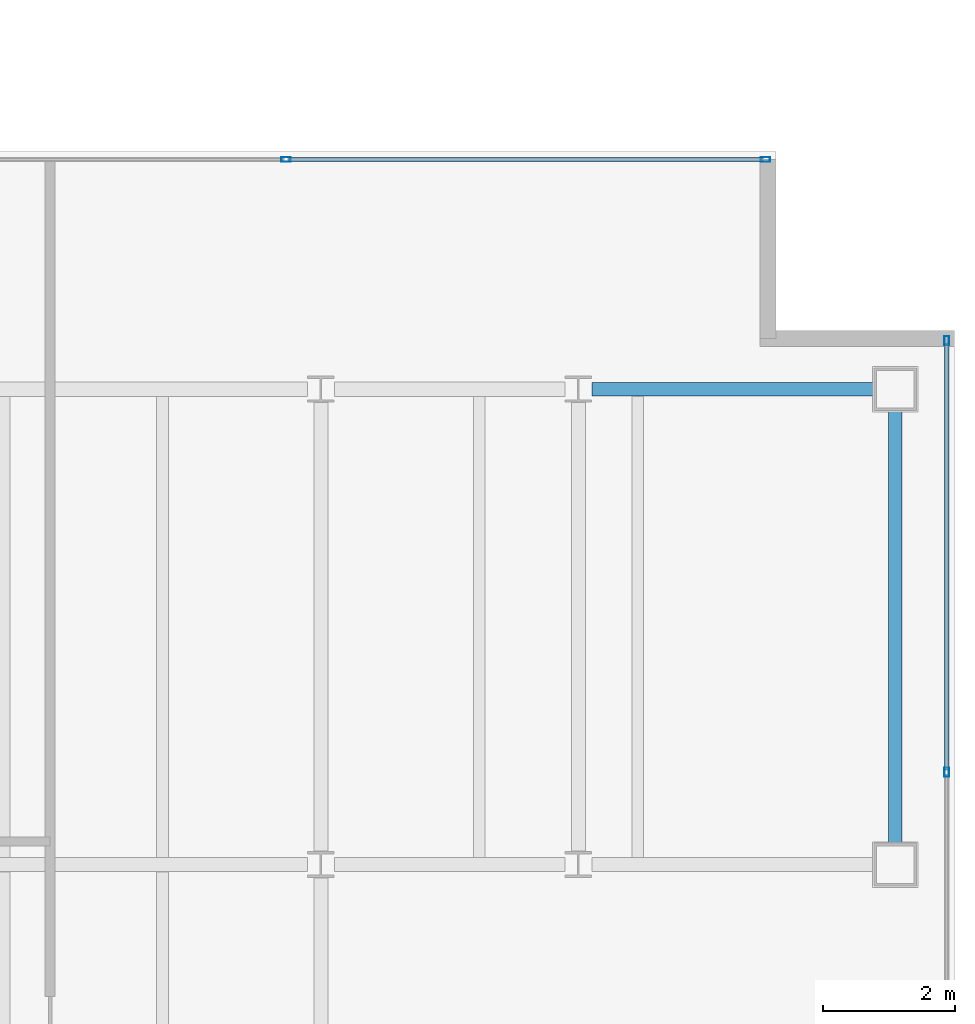
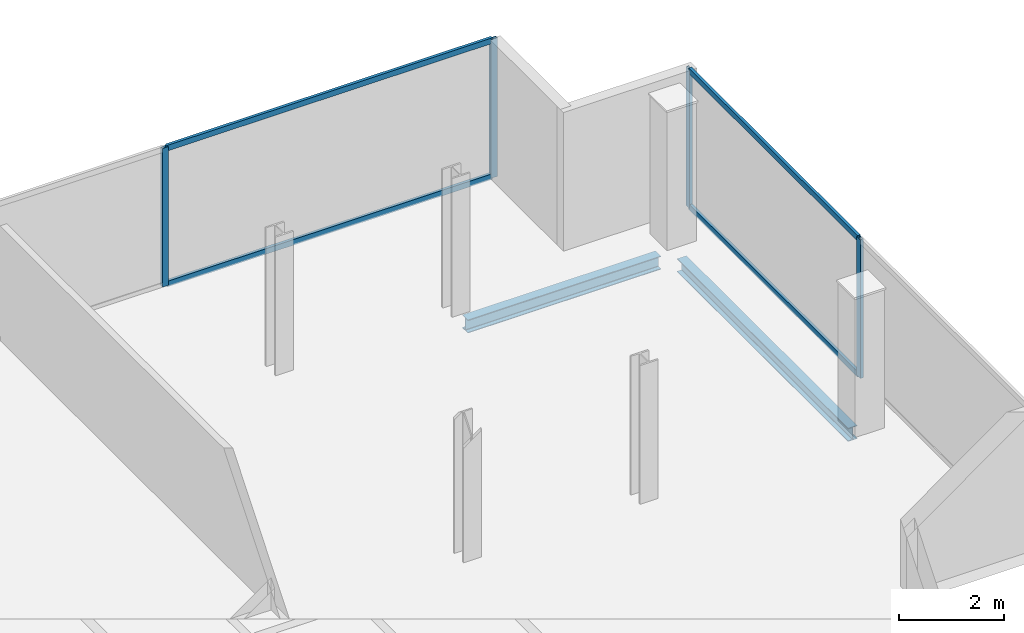
# One storey, part 16 of 24: 8 members, 2 beams, 2 elements without a shape of their own.
"""IFC4 building model written with IfcOpenShell, lengths in metres."""

from ifc_helpers import new_model, si_unit, direction, frame, origin, origin_2d, place, context, subcontext, project, spatial, hollow_rectangle, i_section, extrude, material, material_profile, profile_set, type_object, element, aggregate, save


model = new_model("IFC4")

# Units and contexts
model_context = context("Model", 3, precision=1e-05, world=origin(), true_north=direction((0.0, 1.0)))
body_context = subcontext(model_context, "Body", "Model", "MODEL_VIEW")
ifc_project = project(units=[si_unit("LENGTHUNIT", "METRE"), si_unit("AREAUNIT", "SQUARE_METRE"), si_unit("VOLUMEUNIT", "CUBIC_METRE"), si_unit("PLANEANGLEUNIT", "RADIAN"), si_unit("MASSUNIT", "GRAM", prefix="KILO")], contexts=[model_context])

# Site, building, storey
site_placement = place(None, origin())
site = spatial("IfcSite", under=ifc_project, at=site_placement, CompositionType="ELEMENT")
building_placement = place(site_placement, origin())
building = spatial("IfcBuilding", under=site, at=building_placement, Name="Cobrela Telecom Tower", CompositionType="ELEMENT")
storey_placement = place(building_placement, frame((0.0, 0.0, 290.14990234375)))
storey = spatial("IfcBuildingStorey", under=building, at=storey_placement, Name="L76", CompositionType="ELEMENT", Elevation=290.14990234375)

# Beams
ifc_material_1 = material(Name="Steel ASTM A992 Grade 50", Category="steel")
ifc_material_profile_1 = material_profile(ifc_material_1, i_section(OverallWidth=0.205078125, OverallDepth=0.31005859375, WebThickness=0.009521484375, FlangeThickness=0.016357421875, FilletRadius=0.010986328125, at=origin_2d()), Name="W12X50")
ifc_profile_set_1 = profile_set([ifc_material_profile_1], Name="Steel ASTM A992 Grade 50")
beam_type = type_object("IfcBeamType", Name="BM-SPAND-07", PredefinedType="SPANDREL", material=ifc_profile_set_1)
beam_1_placement = place(storey_placement, frame((40.1044921875, 21.60009765625, -0.414794921875), z_axis=(1.0, 0.0, 0.0), x_axis=(0.0, 1.0, 0.0)))
element("IfcBeam", 1, at=beam_1_placement, inside=storey, type_object=beam_type, Name="L76 Perimeter Spandrel X14", PredefinedType="SPANDREL", context=body_context, shape_type="SweptSolid", body=[
    extrude(i_section(OverallWidth=0.205078125, OverallDepth=0.31005859375, WebThickness=0.009521484375, FlangeThickness=0.016357421875, FilletRadius=0.010986328125, at=origin_2d()), origin(), (0.0, 0.0, 1.0), 4.265625),
])
beam_2_placement = place(storey_placement, frame((44.699951171875, 14.72998046875, -0.414794921875), z_axis=(0.0, 1.0, 0.0), x_axis=(-1.0, 0.0, 0.0)))
element("IfcBeam", 2, at=beam_2_placement, inside=storey, type_object=beam_type, Name="L76 Perimeter Spandrel Y34", PredefinedType="SPANDREL", context=body_context, shape_type="SweptSolid", body=[
    extrude(i_section(OverallWidth=0.205078125, OverallDepth=0.31005859375, WebThickness=0.009521484375, FlangeThickness=0.016357421875, FilletRadius=0.010986328125, at=origin_2d()), origin(), (0.0, 0.0, 1.0), 6.5400390625),
])

# Curtain wall, members
ifc_material_2 = material(Name="Anodized Bronze Aluminium 6063-T6", Category="aluminium")
curtain_wall_type = type_object("IfcCurtainWallType", Name="CW-SYS-OFF-HI", PredefinedType="USERDEFINED", material=ifc_material_2)
curtain_wall_1_placement = place(storey_placement, origin())
curtain_wall_1 = element("IfcCurtainWall", 3, at=curtain_wall_1_placement, inside=storey, type_object=curtain_wall_type, Name="L76 Unitised Bronze Curtain Wall 09", ObjectType="UNITISED CURTAIN WALL", PredefinedType="USERDEFINED")
ifc_material_profile_2 = material_profile(ifc_material_2, hollow_rectangle(XDim=0.070068359375, YDim=0.139892578125, WallThickness=0.00390625, at=origin_2d()), Name="ALU 70x140x4")
ifc_profile_set_2 = profile_set([ifc_material_profile_2], Name="Anodized Bronze Aluminium 6063-T6")
member_type_1 = type_object("IfcMemberType", Name="CW-SYS-OFF-HI-MUL", PredefinedType="MULLION", material=ifc_profile_set_2)
member_1_placement = place(storey_placement, frame((35.473388671875, 25.080078125, 0.0), z_axis=(0.0, 0.0, 1.0), x_axis=(0.0, 1.0, 0.0)))
member_1 = element("IfcMember", 4, at=member_1_placement, type_object=member_type_1, Name="CW-OFF-HI mullion 3", PredefinedType="MULLION", context=body_context, shape_type="SweptSolid", body=[
    extrude(hollow_rectangle(XDim=0.070068359375, YDim=0.139892578125, WallThickness=0.00390625, at=origin_2d()), origin(), (0.0, 0.0, 1.0), 3.239990234375),
])
member_2_placement = place(storey_placement, frame((42.735107421875, 25.080078125, 0.0), z_axis=(0.0, 0.0, 1.0), x_axis=(0.0, 1.0, 0.0)))
member_2 = element("IfcMember", 5, at=member_2_placement, type_object=member_type_1, Name="CW-OFF-HI mullion 4", PredefinedType="MULLION", context=body_context, shape_type="SweptSolid", body=[
    extrude(hollow_rectangle(XDim=0.070068359375, YDim=0.139892578125, WallThickness=0.00390625, at=origin_2d()), origin(), (0.0, 0.0, 1.0), 3.239990234375),
])

curtain_wall_2_placement = place(storey_placement, origin())
curtain_wall_2 = element("IfcCurtainWall", 6, at=curtain_wall_2_placement, inside=storey, type_object=curtain_wall_type, Name="L76 Unitised Bronze Curtain Wall 12", ObjectType="UNITISED CURTAIN WALL", PredefinedType="USERDEFINED")
member_3_placement = place(storey_placement, frame((45.47998046875, 22.3349609375, 0.0), z_axis=(0.0, 0.0, 1.0), x_axis=(1.0, 0.0, 0.0)))
member_3 = element("IfcMember", 7, at=member_3_placement, type_object=member_type_1, Name="CW-OFF-HI mullion 1", PredefinedType="MULLION", context=body_context, shape_type="SweptSolid", body=[
    extrude(hollow_rectangle(XDim=0.070068359375, YDim=0.139892578125, WallThickness=0.00390625, at=origin_2d()), origin(), (0.0, 0.0, 1.0), 3.239990234375),
])
member_4_placement = place(storey_placement, frame((45.47998046875, 15.800048828125, 0.0), z_axis=(0.0, 0.0, 1.0), x_axis=(1.0, 0.0, 0.0)))
member_4 = element("IfcMember", 8, at=member_4_placement, type_object=member_type_1, Name="CW-OFF-HI mullion 2", PredefinedType="MULLION", context=body_context, shape_type="SweptSolid", body=[
    extrude(hollow_rectangle(XDim=0.070068359375, YDim=0.139892578125, WallThickness=0.00390625, at=origin_2d()), origin(), (0.0, 0.0, 1.0), 3.239990234375),
])

# Member
ifc_material_profile_3 = material_profile(ifc_material_2, hollow_rectangle(XDim=0.06494140625, YDim=0.1298828125, WallThickness=0.00390625, at=origin_2d()), Name="ALU 65x130x4")
ifc_profile_set_3 = profile_set([ifc_material_profile_3], Name="Anodized Bronze Aluminium 6063-T6")
member_type_2 = type_object("IfcMemberType", Name="CW-SYS-OFF-HI-TRN", PredefinedType="USERDEFINED", material=ifc_profile_set_3)
member_5_placement = place(storey_placement, frame((35.50830078125, 25.080078125, 0.03271484375), z_axis=(1.0, 0.0, 0.0), x_axis=(0.0, 1.0, 0.0)))
member_5 = element("IfcMember", 9, at=member_5_placement, type_object=member_type_2, Name="CW-OFF-HI transom 3.1", ObjectType="TRANSOM", PredefinedType="USERDEFINED", context=body_context, shape_type="SweptSolid", body=[
    extrude(hollow_rectangle(XDim=0.06494140625, YDim=0.1298828125, WallThickness=0.00390625, at=origin_2d()), origin(), (0.0, 0.0, 1.0), 7.191650390625),
])

member_6_placement = place(storey_placement, frame((35.50830078125, 25.080078125, 3.20751953125), z_axis=(1.0, 0.0, 0.0), x_axis=(0.0, 1.0, 0.0)))
member_6 = element("IfcMember", 10, at=member_6_placement, type_object=member_type_2, Name="CW-OFF-HI transom 3.2", ObjectType="TRANSOM", PredefinedType="USERDEFINED", context=body_context, shape_type="SweptSolid", body=[
    extrude(hollow_rectangle(XDim=0.06494140625, YDim=0.1298828125, WallThickness=0.00390625, at=origin_2d()), origin(), (0.0, 0.0, 1.0), 7.191650390625),
])

aggregate(curtain_wall_1, [member_1, member_2, member_5, member_6])

member_7_placement = place(storey_placement, frame((45.47998046875, 22.300048828125, 0.03271484375), z_axis=(0.0, -1.0, 0.0), x_axis=(1.0, 0.0, 0.0)))
member_7 = element("IfcMember", 11, at=member_7_placement, type_object=member_type_2, Name="CW-OFF-HI transom 1.1", ObjectType="TRANSOM", PredefinedType="USERDEFINED", context=body_context, shape_type="SweptSolid", body=[
    extrude(hollow_rectangle(XDim=0.06494140625, YDim=0.1298828125, WallThickness=0.00390625, at=origin_2d()), origin(), (0.0, 0.0, 1.0), 6.465087890625),
])

member_8_placement = place(storey_placement, frame((45.47998046875, 22.300048828125, 3.20751953125), z_axis=(0.0, -1.0, 0.0), x_axis=(1.0, 0.0, 0.0)))
member_8 = element("IfcMember", 12, at=member_8_placement, type_object=member_type_2, Name="CW-OFF-HI transom 1.2", ObjectType="TRANSOM", PredefinedType="USERDEFINED", context=body_context, shape_type="SweptSolid", body=[
    extrude(hollow_rectangle(XDim=0.06494140625, YDim=0.1298828125, WallThickness=0.00390625, at=origin_2d()), origin(), (0.0, 0.0, 1.0), 6.465087890625),
])

aggregate(curtain_wall_2, [member_3, member_4, member_7, member_8])

save(model, "model.ifc")
